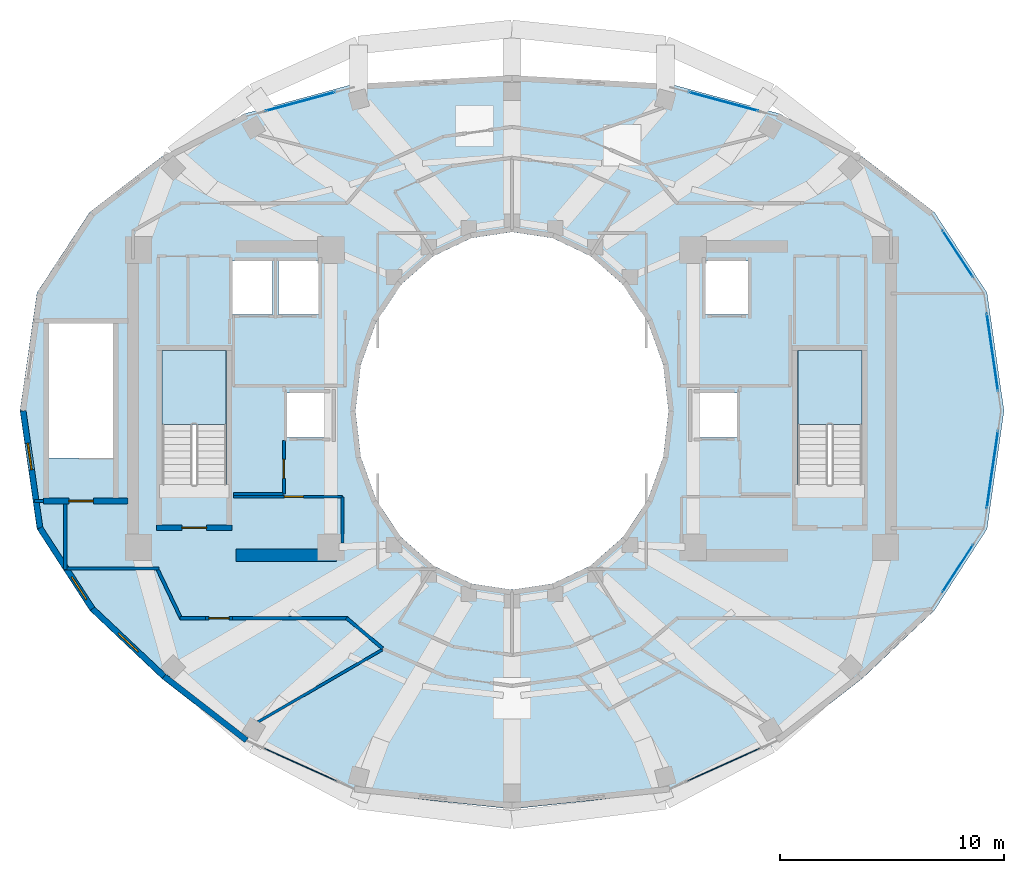
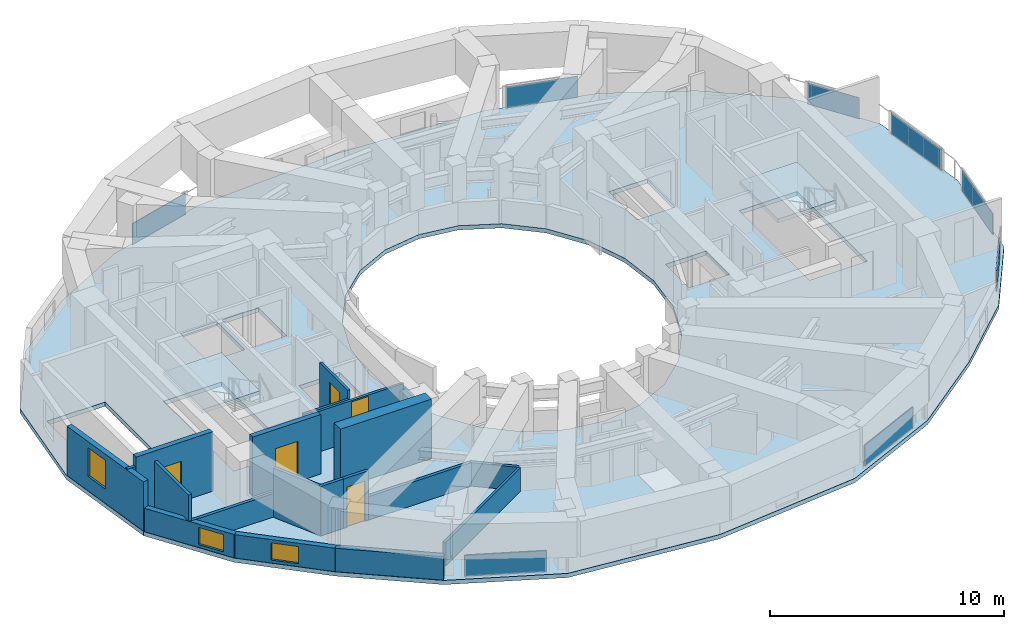
# One storey, part 13 of 20: 20 walls, 8 plates, 5 doors, 3 slabs, 3 windows, 8 openings, 10 elements without a shape of their own.
"""IFC4 building model written with IfcOpenShell, lengths in metres."""

from ifc_helpers import new_model, si_unit, direction, frame, frame_2d, origin, origin_2d, place, context, subcontext, project, spatial, polyline, rectangle, outline, extrude, material, layer, layer_set, type_object, element, fill, aggregate, save


model = new_model("IFC4")

# Units and contexts
model_context = context("Model", 3, precision=1e-05, world=origin(), true_north=direction((0.0, 1.0)))
body_context = subcontext(model_context, "Body", "Model", "MODEL_VIEW")
ifc_project = project(units=[si_unit("LENGTHUNIT", "METRE"), si_unit("AREAUNIT", "SQUARE_METRE"), si_unit("VOLUMEUNIT", "CUBIC_METRE"), si_unit("PLANEANGLEUNIT", "RADIAN"), si_unit("MASSUNIT", "GRAM", prefix="KILO")], contexts=[model_context])

# Site, building, storey
site_placement = place(None, origin())
site = spatial("IfcSite", under=ifc_project, at=site_placement, CompositionType="ELEMENT")
building_placement = place(site_placement, origin())
building = spatial("IfcBuilding", under=site, at=building_placement, Name="Solvane Sanctuary Tower", CompositionType="ELEMENT")
storey_placement = place(building_placement, frame((0.0, 0.0, 217.10009765625)))
storey = spatial("IfcBuildingStorey", under=building, at=storey_placement, Name="L66", CompositionType="ELEMENT", Elevation=217.10009765625)

# Curtain wall, plate
ifc_material_1 = material(Name="Anodised Aluminium 6063-T6", Category="aluminium")
ifc_layer_1 = layer(ifc_material_1, 0.2099609375, Name="Anodised Aluminium 6063-T6")
ifc_layer_set_1 = layer_set([ifc_layer_1], Name="Anodised Aluminium 6063-T6")
curtain_wall_type_1 = type_object("IfcCurtainWallType", Name="Curtain Wall CW-PORTAL", PredefinedType="NOTDEFINED", material=ifc_layer_set_1)
curtain_wall_1_placement = place(storey_placement, origin())
curtain_wall_1 = element("IfcCurtainWall", 1, at=curtain_wall_1_placement, inside=storey, type_object=curtain_wall_type_1, Name="L66 CW-PORTAL Facade Run 00", PredefinedType="NOTDEFINED")
ifc_material_2 = material(Name="Dark Ceramic-Fritted Low-E Glass", Category="glass")
ifc_layer_2 = layer(ifc_material_2, 0.031982421875, Name="Dark Ceramic-Fritted Low-E Glass")
ifc_layer_set_2 = layer_set([ifc_layer_2], Name="Dark Ceramic-Fritted Low-E Glass")
plate_type_1 = type_object("IfcPlateType", Name="Plate PN-FRIT-VIS", PredefinedType="CURTAIN_PANEL", material=ifc_layer_set_2)
plate_1_placement = place(storey_placement, frame((53.482421875, 25.619384765625, 0.06494140625), z_axis=(0.0, 0.0, 1.0), x_axis=(-0.142705117998, 0.989765249591, 0.0)))
plate_1 = element("IfcPlate", 2, at=plate_1_placement, type_object=plate_type_1, Name="CW-PORTAL panel 1.1", PredefinedType="CURTAIN_PANEL", context=body_context, shape_type="SweptSolid", body=[
    extrude(rectangle(XDim=3.5029296875, YDim=0.031982421875, at=origin_2d()), origin(), (0.0, 0.0, 1.0), 1.090087890625),
])
aggregate(curtain_wall_1, [plate_1])

curtain_wall_2_placement = place(storey_placement, origin())
curtain_wall_2 = element("IfcCurtainWall", 3, at=curtain_wall_2_placement, inside=storey, type_object=curtain_wall_type_1, Name="L66 CW-PORTAL Facade Run 01", PredefinedType="NOTDEFINED")
plate_2_placement = place(storey_placement, frame((51.932861328125, 30.02392578125, 0.06494140625), z_axis=(0.0, 0.0, 1.0), x_axis=(-0.548791766298, 0.83595908826, 0.0)))
plate_2 = element("IfcPlate", 4, at=plate_2_placement, type_object=plate_type_1, Name="CW-PORTAL panel 1.1", PredefinedType="CURTAIN_PANEL", context=body_context, shape_type="SweptSolid", body=[
    extrude(rectangle(XDim=2.48095703125, YDim=0.031982421875, at=origin_2d()), origin(), (0.0, 0.0, 1.0), 1.090087890625),
])
aggregate(curtain_wall_2, [plate_2])

curtain_wall_3_placement = place(storey_placement, origin())
curtain_wall_3 = element("IfcCurtainWall", 5, at=curtain_wall_3_placement, inside=storey, type_object=curtain_wall_type_1, Name="L66 CW-PORTAL Facade Run 22", PredefinedType="NOTDEFINED")
plate_3_placement = place(storey_placement, frame((51.932861328125, 15.955810546875, 0.06494140625), z_axis=(0.0, 0.0, 1.0), x_axis=(0.54447378782, 0.838777857586, 0.0)))
plate_3 = element("IfcPlate", 6, at=plate_3_placement, type_object=plate_type_1, Name="CW-PORTAL panel 1.1", PredefinedType="CURTAIN_PANEL", context=body_context, shape_type="SweptSolid", body=[
    extrude(rectangle(XDim=2.5146484375, YDim=0.031982421875, at=origin_2d()), origin(), (0.0, 0.0, 1.0), 1.090087890625),
])
aggregate(curtain_wall_3, [plate_3])

curtain_wall_4_placement = place(storey_placement, origin())
curtain_wall_4 = element("IfcCurtainWall", 7, at=curtain_wall_4_placement, inside=storey, type_object=curtain_wall_type_1, Name="L66 CW-PORTAL Facade Run 23", PredefinedType="NOTDEFINED")
plate_4_placement = place(storey_placement, frame((53.482421875, 20.380615234375, 0.06494140625), z_axis=(0.0, 0.0, 1.0), x_axis=(0.142705117998, 0.989765249591, 0.0)))
plate_4 = element("IfcPlate", 8, at=plate_4_placement, type_object=plate_type_1, Name="CW-PORTAL panel 1.1", PredefinedType="CURTAIN_PANEL", context=body_context, shape_type="SweptSolid", body=[
    extrude(rectangle(XDim=3.5029296875, YDim=0.031982421875, at=origin_2d()), origin(), (0.0, 0.0, 1.0), 1.090087890625),
])
aggregate(curtain_wall_4, [plate_4])

ifc_layer_3 = layer(ifc_material_1, 0.18994140625, Name="Anodised Aluminium 6063-T6")
ifc_layer_set_3 = layer_set([ifc_layer_3], Name="Anodised Aluminium 6063-T6")
curtain_wall_type_2 = type_object("IfcCurtainWallType", Name="Curtain Wall CW-OPER", PredefinedType="NOTDEFINED", material=ifc_layer_set_3)
curtain_wall_5_placement = place(storey_placement, origin())
curtain_wall_5 = element("IfcCurtainWall", 9, at=curtain_wall_5_placement, inside=storey, type_object=curtain_wall_type_2, Name="L66 CW-OPER Facade Run 04", PredefinedType="NOTDEFINED")
ifc_layer_4 = layer(ifc_material_2, 0.0419921875, Name="Dark Ceramic-Fritted Low-E Glass")
ifc_layer_set_4 = layer_set([ifc_layer_4], Name="Dark Ceramic-Fritted Low-E Glass")
plate_type_2 = type_object("IfcPlateType", Name="Plate PN-OPER-VENT", PredefinedType="CURTAIN_PANEL", material=ifc_layer_set_4)
plate_5_placement = place(storey_placement, frame((41.45654296875, 36.830810546875, 0.06494140625), z_axis=(0.0, 0.0, 1.0), x_axis=(-0.965212137728, 0.261468027073, 0.0)))
plate_5 = element("IfcPlate", 10, at=plate_5_placement, type_object=plate_type_2, Name="CW-OPER panel 1.1", PredefinedType="CURTAIN_PANEL", context=body_context, shape_type="SweptSolid", body=[
    extrude(rectangle(XDim=3.2109375, YDim=0.0419921875, at=origin_2d()), origin(), (0.0, 0.0, 1.0), 1.090087890625),
])
aggregate(curtain_wall_5, [plate_5])

curtain_wall_6_placement = place(storey_placement, origin())
curtain_wall_6 = element("IfcCurtainWall", 11, at=curtain_wall_6_placement, inside=storey, type_object=curtain_wall_type_2, Name="L66 CW-OPER Facade Run 07", PredefinedType="NOTDEFINED")
plate_6_placement = place(storey_placement, frame((22.54345703125, 36.830810546875, 0.06494140625), z_axis=(0.0, 0.0, 1.0), x_axis=(-0.965212137728, -0.261468027073, 0.0)))
plate_6 = element("IfcPlate", 12, at=plate_6_placement, type_object=plate_type_2, Name="CW-OPER panel 1.1", PredefinedType="CURTAIN_PANEL", context=body_context, shape_type="SweptSolid", body=[
    extrude(rectangle(XDim=3.2109375, YDim=0.0419921875, at=origin_2d()), origin(), (0.0, 0.0, 1.0), 1.090087890625),
])
aggregate(curtain_wall_6, [plate_6])

curtain_wall_7_placement = place(storey_placement, origin())
curtain_wall_7 = element("IfcCurtainWall", 13, at=curtain_wall_7_placement, inside=storey, type_object=curtain_wall_type_2, Name="L66 CW-OPER Facade Run 16", PredefinedType="NOTDEFINED")
plate_7_placement = place(storey_placement, frame((22.54345703125, 7.177734375, 0.06494140625), z_axis=(0.0, 0.0, 1.0), x_axis=(0.911422883385, -0.411470931711, 0.0)))
plate_7 = element("IfcPlate", 14, at=plate_7_placement, type_object=plate_type_2, Name="CW-OPER panel 1.1", PredefinedType="CURTAIN_PANEL", context=body_context, shape_type="SweptSolid", body=[
    extrude(rectangle(XDim=3.506103515625, YDim=0.0419921875, at=origin_2d()), origin(), (0.0, 0.0, 1.0), 1.090087890625),
])
aggregate(curtain_wall_7, [plate_7])

curtain_wall_8_placement = place(storey_placement, origin())
curtain_wall_8 = element("IfcCurtainWall", 15, at=curtain_wall_8_placement, inside=storey, type_object=curtain_wall_type_2, Name="L66 CW-OPER Facade Run 19", PredefinedType="NOTDEFINED")
plate_8_placement = place(storey_placement, frame((41.45654296875, 7.177734375, 0.06494140625), z_axis=(0.0, 0.0, 1.0), x_axis=(0.911422883385, 0.411470931711, 0.0)))
plate_8 = element("IfcPlate", 16, at=plate_8_placement, type_object=plate_type_2, Name="CW-OPER panel 1.1", PredefinedType="CURTAIN_PANEL", context=body_context, shape_type="SweptSolid", body=[
    extrude(rectangle(XDim=3.506103515625, YDim=0.0419921875, at=origin_2d()), origin(), (0.0, 0.0, 1.0), 1.090087890625),
])
aggregate(curtain_wall_8, [plate_8])

# Stair, slab
ifc_material_3 = material(Name="Concrete C45/55", Category="concrete")
stair_type = type_object("IfcStairType", Name="Stair ST-TOW", PredefinedType="HALF_TURN_STAIR", material=ifc_material_3)
stair_1_placement = place(storey_placement, origin())
stair_1 = element("IfcStair", 17, at=stair_1_placement, inside=storey, type_object=stair_type, Name="L66 Exit Stair ST-1 West Core", PredefinedType="HALF_TURN_STAIR")
ifc_layer_5 = layer(ifc_material_3, 0.199951171875, Name="Concrete C45/55")
ifc_layer_set_5 = layer_set([ifc_layer_5], Name="Concrete C45/55")
slab_type_1 = type_object("IfcSlabType", Name="Slab SL-LAND-180", PredefinedType="LANDING", material=ifc_layer_set_5)
slab_1_placement = place(storey_placement, frame((0.0, 0.0, 1.349853515625)))
slab_1 = element("IfcSlab", 18, at=slab_1_placement, type_object=slab_type_1, Name="ST-1 landing 1", PredefinedType="LANDING", context=body_context, shape_type="SweptSolid", body=[
    extrude(outline(polyline([(19.219970703125, 22.39990234375), (19.219970703125, 25.699951171875), (16.360107421875, 25.699951171875), (16.360107421875, 22.39990234375), (19.219970703125, 22.39990234375)])), origin(), (0.0, 0.0, 1.0), 0.199951171875),
])
aggregate(stair_1, [slab_1])

stair_2_placement = place(storey_placement, origin())
stair_2 = element("IfcStair", 19, at=stair_2_placement, inside=storey, type_object=stair_type, Name="L66 Exit Stair ST-2 East Core", PredefinedType="HALF_TURN_STAIR")
slab_2_placement = place(storey_placement, frame((0.0, 0.0, 1.349853515625)))
slab_2 = element("IfcSlab", 20, at=slab_2_placement, type_object=slab_type_1, Name="ST-2 landing 1", PredefinedType="LANDING", context=body_context, shape_type="SweptSolid", body=[
    extrude(outline(polyline([(47.639892578125, 22.39990234375), (47.639892578125, 25.699951171875), (44.780029296875, 25.699951171875), (44.780029296875, 22.39990234375), (47.639892578125, 22.39990234375)])), origin(), (0.0, 0.0, 1.0), 0.199951171875),
])
aggregate(stair_2, [slab_2])

# Slab
ifc_layer_6 = layer(ifc_material_3, 0.219970703125, Name="Concrete C45/55")
ifc_layer_set_6 = layer_set([ifc_layer_6], Name="Concrete C45/55")
slab_type_2 = type_object("IfcSlabType", Name="Slab SL-TOW-220", PredefinedType="FLOOR", material=ifc_layer_set_6)
slab_3_placement = place(storey_placement, frame((0.0, 0.0, -0.22021484375)))
element("IfcSlab", 21, at=slab_3_placement, inside=storey, type_object=slab_type_2, Name="L66 Primary Structural Slab", PredefinedType="FLOOR", context=body_context, shape_type="SweptSolid", body=[
    extrude(outline(polyline([(54.0, 23.0), (53.239990234375, 28.283935546875), (50.881103515625, 31.885009765625), (47.6572265625, 34.369384765625), (43.946044921875, 36.29052734375), (39.088134765625, 37.609375), (32.0, 38.0), (24.911865234375, 37.609375), (20.053955078125, 36.29052734375), (16.3427734375, 34.369384765625), (13.118896484375, 31.885009765625), (10.760009765625, 28.283935546875), (10.0, 23.0), (10.760009765625, 17.716064453125), (13.118896484375, 14.074462890625), (16.3427734375, 11.02587890625), (20.053955078125, 8.140625), (24.911865234375, 5.942626953125), (32.0, 5.199951171875), (39.088134765625, 5.942626953125), (43.946044921875, 8.140625), (47.6572265625, 11.02587890625), (50.881103515625, 14.074462890625), (53.239990234375, 17.716064453125), (54.0, 23.0)]), holes=[polyline([(38.761474609375, 20.929443359375), (38.062255859375, 19.0), (36.94970703125, 17.343017578125), (35.5, 16.07177734375), (33.811767578125, 15.272705078125), (32.0, 15.0), (30.188232421875, 15.272705078125), (28.5, 16.07177734375), (27.05029296875, 17.343017578125), (25.937744140625, 19.0), (25.238525390625, 20.929443359375), (25.0, 23.0), (25.238525390625, 25.070556640625), (25.937744140625, 27.0), (27.05029296875, 28.656982421875), (28.5, 29.92822265625), (30.188232421875, 30.727294921875), (32.0, 31.0), (33.811767578125, 30.727294921875), (35.5, 29.92822265625), (36.94970703125, 28.656982421875), (38.062255859375, 27.0), (38.761474609375, 25.070556640625), (39.0, 23.0), (38.761474609375, 20.929443359375)]), polyline([(16.360107421875, 19.699951171875), (16.360107421875, 25.699951171875), (19.219970703125, 25.699951171875), (19.219970703125, 19.699951171875), (16.360107421875, 19.699951171875)]), polyline([(44.780029296875, 19.699951171875), (44.780029296875, 25.699951171875), (47.639892578125, 25.699951171875), (47.639892578125, 19.699951171875), (44.780029296875, 19.699951171875)]), polyline([(11.300048828125, 20.89990234375), (11.300048828125, 26.89990234375), (14.159912109375, 26.89990234375), (14.159912109375, 20.89990234375), (11.300048828125, 20.89990234375)]), polyline([(21.949951171875, 23.800048828125), (23.949951171875, 23.800048828125), (23.949951171875, 21.800048828125), (21.949951171875, 21.800048828125), (21.949951171875, 23.800048828125)]), polyline([(40.050048828125, 23.800048828125), (42.050048828125, 23.800048828125), (42.050048828125, 21.800048828125), (40.050048828125, 21.800048828125), (40.050048828125, 23.800048828125)]), polyline([(19.5, 29.699951171875), (21.300048828125, 29.699951171875), (21.300048828125, 27.300048828125), (19.5, 27.300048828125), (19.5, 29.699951171875)]), polyline([(21.550048828125, 29.699951171875), (23.35009765625, 29.699951171875), (23.35009765625, 27.300048828125), (21.550048828125, 27.300048828125), (21.550048828125, 29.699951171875)]), polyline([(40.64990234375, 29.699951171875), (42.550048828125, 29.699951171875), (42.550048828125, 27.300048828125), (40.64990234375, 27.300048828125), (40.64990234375, 29.699951171875)])]), origin(), (0.0, 0.0, 1.0), 0.22021484375),
])

# Walls
ifc_material_4 = material(Name="Concrete C50/60", Category="concrete")
ifc_layer_7 = layer(ifc_material_4, 0.550048828125, Name="Concrete C50/60")
ifc_layer_set_7 = layer_set([ifc_layer_7], Name="Concrete C50/60")
wall_type_1 = type_object("IfcWallType", Name="Wall W-CORE-550", PredefinedType="SHEAR", material=ifc_layer_set_7)
wall_1_placement = place(storey_placement, frame((19.64990234375, 16.550048828125, 0.0), z_axis=(0.0, 0.0, 1.0), x_axis=(1.0, 0.0, 0.0)))
element("IfcWall", 22, at=wall_1_placement, inside=storey, type_object=wall_type_1, Name="L66 Core Shear Wall WC-S", PredefinedType="SHEAR", context=body_context, shape_type="SweptSolid", body=[
    extrude(rectangle(XDim=4.5, YDim=0.550048828125, at=frame_2d((2.25, 0.0))), origin(), (0.0, 0.0, 1.0), 3.099853515625),
])
ifc_material_5 = material(Name="Acoustic Gypsum Partition Board")
ifc_layer_8 = layer(ifc_material_5, 0.14990234375, Name="Acoustic Gypsum Partition Board")
ifc_layer_set_8 = layer_set([ifc_layer_8], Name="Acoustic Gypsum Partition Board")
wall_type_2 = type_object("IfcWallType", Name="Wall W-CORR-150", PredefinedType="PARTITIONING", material=ifc_layer_set_8)
wall_2_placement = place(storey_placement, frame((10.639892578125, 18.969970703125, 0.0), z_axis=(0.0, 0.0, 1.0), x_axis=(1.0, 0.0, 0.0)))
element("IfcWall", 23, at=wall_2_placement, inside=storey, type_object=wall_type_2, Name="L66 SW Corner Closer 1", PredefinedType="PARTITIONING", context=body_context, shape_type="SweptSolid", body=[
    extrude(rectangle(XDim=0.400146484375, YDim=0.14990234375, at=frame_2d((0.2001953125, 0.0))), origin(), (0.0, 0.0, 1.0), 2.574951171875),
])
wall_3_placement = place(storey_placement, frame((12.02001953125, 15.909912109375, 0.0), z_axis=(0.0, 0.0, 1.0), x_axis=(0.0, 1.0, 0.0)))
element("IfcWall", 24, at=wall_3_placement, inside=storey, type_object=wall_type_2, Name="L66 SW Corner Closer 2", PredefinedType="PARTITIONING", context=body_context, shape_type="SweptSolid", body=[
    extrude(rectangle(XDim=2.93017578125, YDim=0.14990234375, at=frame_2d((1.465087890625, 0.0))), origin(), (0.0, 0.0, 1.0), 2.574951171875),
])
wall_4_placement = place(storey_placement, frame((11.97998046875, 15.949951171875, 0.0), z_axis=(0.0, 0.0, 1.0), x_axis=(1.0, 0.0, 0.0)))
element("IfcWall", 25, at=wall_4_placement, inside=storey, type_object=wall_type_2, Name="L66 SW Corner Closer 3", PredefinedType="PARTITIONING", context=body_context, shape_type="SweptSolid", body=[
    extrude(rectangle(XDim=4.239990234375, YDim=0.14990234375, at=frame_2d((2.1201171875, 0.0))), origin(), (0.0, 0.0, 1.0), 1.219970703125),
])
wall_5_placement = place(storey_placement, frame((26.208984375, 12.385009765625, 0.0), z_axis=(0.0, 0.0, 1.0), x_axis=(-0.765677451641, 0.643224719711, 0.0)))
element("IfcWall", 26, at=wall_5_placement, inside=storey, type_object=wall_type_2, Name="L66 SW Corner Throat Wall", PredefinedType="PARTITIONING", context=body_context, shape_type="SweptSolid", body=[
    extrude(rectangle(XDim=2.10546875, YDim=0.14990234375, at=frame_2d((1.052734375, 0.0))), origin(), (0.0, 0.0, 1.0), 1.219970703125),
])
wall_6_placement = place(storey_placement, frame((17.14990234375, 13.719970703125, 0.0), z_axis=(0.0, 0.0, 1.0), x_axis=(1.0, 0.0, 0.0)))
element("IfcWall", 27, at=wall_6_placement, inside=storey, type_object=wall_type_2, Name="L66 SW Corner Corridor Wall", PredefinedType="PARTITIONING", context=body_context, shape_type="SweptSolid", body=[
    extrude(rectangle(XDim=1.14013671875, YDim=0.14990234375, at=frame_2d((0.570068359375, 0.0))), origin(), (0.0, 0.0, 1.0), 2.574951171875),
])

# Wall, opening, door
wall_7_placement = place(storey_placement, frame((18.2900390625, 13.719970703125, 0.0), z_axis=(0.0, 0.0, 1.0), x_axis=(1.0, 0.0, 0.0)))
wall_7 = element("IfcWall", 28, at=wall_7_placement, inside=storey, type_object=wall_type_2, Name="L66 SW Corner Corridor Wall", PredefinedType="PARTITIONING", context=body_context, shape_type="SweptSolid", body=[
    extrude(rectangle(XDim=1.219970703125, YDim=0.14990234375, at=frame_2d((0.60986328125, 0.0))), origin(), (0.0, 0.0, 1.0), 2.574951171875),
])
opening_1_placement = place(wall_7_placement, frame((0.159912109375, 0.0, 0.0)))
opening_1 = element("IfcOpeningElement", 29, at=opening_1_placement, cuts=wall_7, Name="Opening D-L66-21", PredefinedType="OPENING", context=body_context, shape_type="SweptSolid", body=[
    extrude(rectangle(XDim=0.89990234375, YDim=2.10009765625, at=frame_2d((0.449951171875, 1.050048828125))), frame((0.0, 0.0849609375, 0.0), z_axis=(0.0, -1.0, 0.0), x_axis=(1.0, 0.0, 0.0)), (0.0, 0.0, 1.0), 0.169921875),
])
ifc_material_6 = material(Name="Engineered Tropical Hardwood", Category="wood")
door_type_1 = type_object("IfcDoorType", Name="Door D-WET-900", OperationType="NOTDEFINED", PredefinedType="DOOR", material=ifc_material_6)
door_1_placement = place(opening_1_placement, origin())
door_1 = element("IfcDoor", 30, at=door_1_placement, inside=storey, type_object=door_type_1, Name="L66 SW Corner Salon Door", OperationType="SINGLE_SWING_LEFT", OverallHeight=2.10009765625, OverallWidth=0.89990234375, PredefinedType="DOOR", context=body_context, shape_type="SweptSolid", body=[
    extrude(rectangle(XDim=0.89990234375, YDim=2.10009765625, at=frame_2d((0.449951171875, 1.050048828125))), frame((0.0, 0.02490234375, 0.0), z_axis=(0.0, -1.0, 0.0), x_axis=(1.0, 0.0, 0.0)), (0.0, 0.0, 1.0), 0.050048828125),
])
fill(opening_1, door_1)

# Walls
wall_8_placement = place(storey_placement, frame((19.510009765625, 13.719970703125, 0.0), z_axis=(0.0, 0.0, 1.0), x_axis=(1.0, 0.0, 0.0)))
element("IfcWall", 31, at=wall_8_placement, inside=storey, type_object=wall_type_2, Name="L66 SW Corner Corridor Wall", PredefinedType="PARTITIONING", context=body_context, shape_type="SweptSolid", body=[
    extrude(rectangle(XDim=5.159912109375, YDim=0.14990234375, at=frame_2d((2.580078125, 0.0))), origin(), (0.0, 0.0, 1.0), 1.219970703125),
])
wall_9_placement = place(storey_placement, frame((17.2216796875, 13.6748046875, 0.0), z_axis=(0.0, 0.0, 1.0), x_axis=(-0.431973389813, 0.901886351207, 0.0)))
element("IfcWall", 32, at=wall_9_placement, inside=storey, type_object=wall_type_2, Name="L66 SW Corner Wing Wall", PredefinedType="PARTITIONING", context=body_context, shape_type="SweptSolid", body=[
    extrude(rectangle(XDim=2.45166015625, YDim=0.14990234375, at=frame_2d((1.225830078125, 0.0))), origin(), (0.0, 0.0, 1.0), 2.574951171875),
])

# Wall, opening, window
ifc_material_7 = material(Name="Precast concrete C40/50", Category="concrete")
ifc_layer_9 = layer(ifc_material_7, 0.260009765625, Name="Precast concrete C40/50")
ifc_layer_set_9 = layer_set([ifc_layer_9], Name="Precast concrete C40/50")
wall_type_3 = type_object("IfcWallType", Name="Wall W-EXT-250", PredefinedType="STANDARD", material=ifc_layer_set_9)
wall_10_placement = place(storey_placement, frame((10.139892578125, 23.0, 0.0), z_axis=(0.0, 0.0, 1.0), x_axis=(0.142712754019, -0.989764148593, 0.0)))
wall_10 = element("IfcWall", 33, at=wall_10_placement, inside=storey, type_object=wall_type_3, Name="L66 Ceramic-Printed Facade Wall 12", PredefinedType="STANDARD", context=body_context, shape_type="SweptSolid", body=[
    extrude(rectangle(XDim=5.29296875, YDim=0.260009765625, at=frame_2d((2.646484375, 0.0))), origin(), (0.0, 0.0, 1.0), 2.56982421875),
])
opening_2_placement = place(wall_10_placement, frame((1.4580078125, 0.0, 0.75)))
opening_2 = element("IfcOpeningElement", 34, at=opening_2_placement, cuts=wall_10, Name="Opening WN-OPER-1200", PredefinedType="OPENING", context=body_context, shape_type="SweptSolid", body=[
    extrude(rectangle(XDim=1.199951171875, YDim=1.5, at=frame_2d((0.60009765625, 0.75))), frame((0.0, 0.139892578125, 0.0), z_axis=(0.0, -1.0, 0.0), x_axis=(1.0, 0.0, 0.0)), (0.0, 0.0, 1.0), 0.280029296875),
])
window_type = type_object("IfcWindowType", Name="Window WN-OPER-1200", PartitioningType="SINGLE_PANEL", PredefinedType="WINDOW", material=ifc_material_2)
window_1_placement = place(opening_2_placement, origin())
window_1 = element("IfcWindow", 35, at=window_1_placement, inside=storey, type_object=window_type, Name="L66 Operable Facade Window 12", OverallHeight=1.5, OverallWidth=1.199951171875, PartitioningType="SINGLE_PANEL", PredefinedType="WINDOW", context=body_context, shape_type="SweptSolid", body=[
    extrude(rectangle(XDim=1.199951171875, YDim=1.5, at=frame_2d((0.60009765625, 0.75))), frame((0.0, 0.030029296875, 0.0), z_axis=(0.0, -1.0, 0.0), x_axis=(1.0, 0.0, 0.0)), (0.0, 0.0, 1.0), 0.06005859375),
])
fill(opening_2, window_1)

wall_11_placement = place(storey_placement, frame((10.895263671875, 17.76123046875, 0.0), z_axis=(0.0, 0.0, 1.0), x_axis=(0.544475908819, -0.838776480784, 0.0)))
wall_11 = element("IfcWall", 36, at=wall_11_placement, inside=storey, type_object=wall_type_3, Name="L66 Ceramic-Printed Facade Wall 13", PredefinedType="STANDARD", context=body_context, shape_type="SweptSolid", body=[
    extrude(rectangle(XDim=4.3046875, YDim=0.260009765625, at=frame_2d((2.15234375, 0.0))), origin(), (0.0, 0.0, 1.0), 1.219970703125),
])
opening_3_placement = place(wall_11_placement, frame((2.60693359375, 0.0, 0.14990234375)))
opening_3 = element("IfcOpeningElement", 37, at=opening_3_placement, cuts=wall_11, Name="Opening WN-OPER-1200", PredefinedType="OPENING", context=body_context, shape_type="SweptSolid", body=[
    extrude(rectangle(XDim=1.199951171875, YDim=0.89990234375, at=frame_2d((0.60009765625, 0.449951171875))), frame((0.0, 0.139892578125, 0.0), z_axis=(0.0, -1.0, 0.0), x_axis=(1.0, 0.0, 0.0)), (0.0, 0.0, 1.0), 0.280029296875),
])
window_2_placement = place(opening_3_placement, origin())
window_2 = element("IfcWindow", 38, at=window_2_placement, inside=storey, type_object=window_type, Name="L66 Operable Facade Window 13", OverallHeight=0.89990234375, OverallWidth=1.199951171875, PartitioningType="SINGLE_PANEL", PredefinedType="WINDOW", context=body_context, shape_type="SweptSolid", body=[
    extrude(rectangle(XDim=1.199951171875, YDim=0.89990234375, at=frame_2d((0.60009765625, 0.449951171875))), frame((0.0, 0.030029296875, 0.0), z_axis=(0.0, -1.0, 0.0), x_axis=(1.0, 0.0, 0.0)), (0.0, 0.0, 1.0), 0.06005859375),
])
fill(opening_3, window_2)

wall_12_placement = place(storey_placement, frame((13.239013671875, 14.150634765625, 0.0), z_axis=(0.0, 0.0, 1.0), x_axis=(0.72731899451, -0.686299555752, 0.0)))
wall_12 = element("IfcWall", 39, at=wall_12_placement, inside=storey, type_object=wall_type_3, Name="L66 Ceramic-Printed Facade Wall 14", PredefinedType="STANDARD", context=body_context, shape_type="SweptSolid", body=[
    extrude(rectangle(XDim=4.404296875, YDim=0.260009765625, at=frame_2d((2.2021484375, 0.0))), origin(), (0.0, 0.0, 1.0), 1.219970703125),
])
opening_4_placement = place(wall_12_placement, frame((1.60205078125, 0.0, 0.14990234375)))
opening_4 = element("IfcOpeningElement", 40, at=opening_4_placement, cuts=wall_12, Name="Opening WN-OPER-1200", PredefinedType="OPENING", context=body_context, shape_type="SweptSolid", body=[
    extrude(rectangle(XDim=1.199951171875, YDim=0.89990234375, at=frame_2d((0.60009765625, 0.449951171875))), frame((0.0, 0.139892578125, 0.0), z_axis=(0.0, -1.0, 0.0), x_axis=(1.0, 0.0, 0.0)), (0.0, 0.0, 1.0), 0.280029296875),
])
window_3_placement = place(opening_4_placement, origin())
window_3 = element("IfcWindow", 41, at=window_3_placement, inside=storey, type_object=window_type, Name="L66 Operable Facade Window 14", OverallHeight=0.89990234375, OverallWidth=1.199951171875, PartitioningType="SINGLE_PANEL", PredefinedType="WINDOW", context=body_context, shape_type="SweptSolid", body=[
    extrude(rectangle(XDim=1.199951171875, YDim=0.89990234375, at=frame_2d((0.60009765625, 0.449951171875))), frame((0.0, 0.030029296875, 0.0), z_axis=(0.0, -1.0, 0.0), x_axis=(1.0, 0.0, 0.0)), (0.0, 0.0, 1.0), 0.06005859375),
])
fill(opening_4, window_3)

# Wall
wall_13_placement = place(storey_placement, frame((16.4423828125, 11.1279296875, 0.0), z_axis=(0.0, 0.0, 1.0), x_axis=(0.790126214723, -0.612944177563, 0.0)))
element("IfcWall", 42, at=wall_13_placement, inside=storey, type_object=wall_type_3, Name="L66 Ceramic-Printed Facade Wall 15", PredefinedType="STANDARD", context=body_context, shape_type="SweptSolid", body=[
    extrude(rectangle(XDim=4.6669921875, YDim=0.260009765625, at=frame_2d((2.33349609375, 0.0))), origin(), (0.0, 0.0, 1.0), 1.219970703125),
])

# Wall, opening, door
ifc_layer_10 = layer(ifc_material_5, 0.125, Name="Acoustic Gypsum Partition Board")
ifc_layer_set_10 = layer_set([ifc_layer_10], Name="Acoustic Gypsum Partition Board")
wall_type_4 = type_object("IfcWallType", Name="Wall W-PART-125", PredefinedType="PARTITIONING", material=ifc_layer_set_10)
wall_14_placement = place(storey_placement, frame((19.550048828125, 19.159912109375, 0.0), z_axis=(0.0, 0.0, 1.0), x_axis=(1.0, 0.0, 0.0)))
wall_14 = element("IfcWall", 43, at=wall_14_placement, inside=storey, type_object=wall_type_4, Name="L66 Reclaimed Room Partition PLW", PredefinedType="PARTITIONING", context=body_context, shape_type="SweptSolid", body=[
    extrude(rectangle(XDim=4.869873046875, YDim=0.125, at=frame_2d((2.43505859375, 0.0))), origin(), (0.0, 0.0, 1.0), 2.119873046875),
])
opening_5_placement = place(wall_14_placement, frame((2.271728515625, 0.0, 0.0)))
opening_5 = element("IfcOpeningElement", 44, at=opening_5_placement, cuts=wall_14, Name="Opening D-L66-06", PredefinedType="OPENING", context=body_context, shape_type="SweptSolid", body=[
    extrude(rectangle(XDim=0.85009765625, YDim=2.050048828125, at=frame_2d((0.425048828125, 1.02490234375))), frame((0.0, 0.072509765625, 0.0), z_axis=(0.0, -1.0, 0.0), x_axis=(1.0, 0.0, 0.0)), (0.0, 0.0, 1.0), 0.14501953125),
])
ifc_material_8 = material(Name="Architectural Stainless Steel 316", Category="steel")
door_type_2 = type_object("IfcDoorType", Name="Door D-RISER", OperationType="NOTDEFINED", PredefinedType="DOOR", material=ifc_material_8)
door_2_placement = place(opening_5_placement, origin())
door_2 = element("IfcDoor", 45, at=door_2_placement, inside=storey, type_object=door_type_2, Name="L66 Reclaimed Room Door PLW-1", OperationType="SINGLE_SWING_RIGHT", OverallHeight=2.050048828125, OverallWidth=0.85009765625, PredefinedType="DOOR", context=body_context, shape_type="SweptSolid", body=[
    extrude(rectangle(XDim=0.85009765625, YDim=2.050048828125, at=frame_2d((0.425048828125, 1.02490234375))), frame((0.0, 0.02490234375, 0.0), z_axis=(0.0, -1.0, 0.0), x_axis=(1.0, 0.0, 0.0)), (0.0, 0.0, 1.0), 0.050048828125),
])
fill(opening_5, door_2)

# Wall
wall_15_placement = place(storey_placement, frame((24.419921875, 17.10009765625, 0.0), z_axis=(0.0, 0.0, 1.0), x_axis=(0.0, 1.0, 0.0)))
element("IfcWall", 46, at=wall_15_placement, inside=storey, type_object=wall_type_4, Name="L66 Reclaimed Room Closer Wall PLW-1", PredefinedType="PARTITIONING", context=body_context, shape_type="SweptSolid", body=[
    extrude(rectangle(XDim=2.039794921875, YDim=0.125, at=frame_2d((1.02001953125, 0.0))), origin(), (0.0, 0.0, 1.0), 1.951904296875),
])

# Wall, opening, door
wall_16_placement = place(storey_placement, frame((21.800048828125, 19.280029296875, 0.0), z_axis=(0.0, 0.0, 1.0), x_axis=(0.0, 1.0, 0.0)))
wall_16 = element("IfcWall", 47, at=wall_16_placement, inside=storey, type_object=wall_type_4, Name="L66 Reclaimed Room Partition PMW", PredefinedType="PARTITIONING", context=body_context, shape_type="SweptSolid", body=[
    extrude(rectangle(XDim=2.39990234375, YDim=0.125, at=frame_2d((1.199951171875, 0.0))), origin(), (0.0, 0.0, 1.0), 2.574951171875),
])
opening_6_placement = place(wall_16_placement, frame((0.699951171875, 0.0, 0.0)))
opening_6 = element("IfcOpeningElement", 48, at=opening_6_placement, cuts=wall_16, Name="Opening D-L66-08", PredefinedType="OPENING", context=body_context, shape_type="SweptSolid", body=[
    extrude(rectangle(XDim=0.85009765625, YDim=2.050048828125, at=frame_2d((0.425048828125, 1.02490234375))), frame((0.0, 0.072509765625, 0.0), z_axis=(0.0, -1.0, 0.0), x_axis=(1.0, 0.0, 0.0)), (0.0, 0.0, 1.0), 0.14501953125),
])
door_3_placement = place(opening_6_placement, origin())
door_3 = element("IfcDoor", 49, at=door_3_placement, inside=storey, type_object=door_type_2, Name="L66 Reclaimed Room Door PMW-1", OperationType="SINGLE_SWING_RIGHT", OverallHeight=2.050048828125, OverallWidth=0.85009765625, PredefinedType="DOOR", context=body_context, shape_type="SweptSolid", body=[
    extrude(rectangle(XDim=0.85009765625, YDim=2.050048828125, at=frame_2d((0.425048828125, 1.02490234375))), frame((0.0, 0.02490234375, 0.0), z_axis=(0.0, -1.0, 0.0), x_axis=(1.0, 0.0, 0.0)), (0.0, 0.0, 1.0), 0.050048828125),
])
fill(opening_6, door_3)

# Walls
wall_17_placement = place(storey_placement, frame((19.550048828125, 19.280029296875, 0.0), z_axis=(0.0, 0.0, 1.0), x_axis=(1.0, 0.0, 0.0)))
element("IfcWall", 50, at=wall_17_placement, inside=storey, type_object=wall_type_4, Name="L66 Reclaimed Room Closer Wall PMW-1", PredefinedType="PARTITIONING", context=body_context, shape_type="SweptSolid", body=[
    extrude(rectangle(XDim=2.2099609375, YDim=0.125, at=frame_2d((1.10498046875, 0.0))), origin(), (0.0, 0.0, 1.0), 2.119873046875),
])
wall_18_placement = place(storey_placement, frame((26.203369140625, 12.322021484375, 0.0), z_axis=(0.0, 0.0, 1.0), x_axis=(-0.864712462127, -0.502267217567, 0.0)))
element("IfcWall", 51, at=wall_18_placement, inside=storey, type_object=wall_type_4, Name="L66 Radial Compartment Wall 240", PredefinedType="PARTITIONING", context=body_context, shape_type="SweptSolid", body=[
    extrude(rectangle(XDim=6.439453125, YDim=0.125, at=frame_2d((3.2197265625, 0.0))), origin(), (0.0, 0.0, 1.0), 1.219970703125),
])

# Wall, opening, door
ifc_layer_11 = layer(ifc_material_4, 0.25, Name="Concrete C50/60")
ifc_layer_set_11 = layer_set([ifc_layer_11], Name="Concrete C50/60")
wall_type_5 = type_object("IfcWallType", Name="Wall W-SHAFT-250", PredefinedType="SOLIDWALL", material=ifc_layer_set_11)
wall_19_placement = place(storey_placement, frame((16.10498046875, 17.77001953125, 0.0), z_axis=(0.0, 0.0, 1.0), x_axis=(1.0, 0.0, 0.0)))
wall_19 = element("IfcWall", 52, at=wall_19_placement, inside=storey, type_object=wall_type_5, Name="L66 ST-1 Load-Bearing Shaft Wall S", PredefinedType="SOLIDWALL", context=body_context, shape_type="SweptSolid", body=[
    extrude(rectangle(XDim=3.3701171875, YDim=0.25, at=frame_2d((1.68505859375, 0.0))), origin(), (0.0, 0.0, 1.0), 3.099853515625),
])
opening_7_placement = place(wall_19_placement, frame((1.135009765625, 0.0, 0.0)))
opening_7 = element("IfcOpeningElement", 53, at=opening_7_placement, cuts=wall_19, Name="Opening D-L66-01", PredefinedType="OPENING", context=body_context, shape_type="SweptSolid", body=[
    extrude(rectangle(XDim=1.10009765625, YDim=2.10009765625, at=frame_2d((0.550048828125, 1.050048828125))), frame((0.0, 0.135009765625, 0.0), z_axis=(0.0, -1.0, 0.0), x_axis=(1.0, 0.0, 0.0)), (0.0, 0.0, 1.0), 0.27001953125),
])
door_type_3 = type_object("IfcDoorType", Name="Door D-STAIR", OperationType="NOTDEFINED", PredefinedType="DOOR", material=ifc_material_8)
door_4_placement = place(opening_7_placement, origin())
door_4 = element("IfcDoor", 54, at=door_4_placement, inside=storey, type_object=door_type_3, Name="L66 ST-1 Exit Stair Fire Door", OperationType="SINGLE_SWING_RIGHT", OverallHeight=2.10009765625, OverallWidth=1.10009765625, PredefinedType="DOOR", context=body_context, shape_type="SweptSolid", body=[
    extrude(rectangle(XDim=1.10009765625, YDim=2.10009765625, at=frame_2d((0.550048828125, 1.050048828125))), frame((0.0, 0.02490234375, 0.0), z_axis=(0.0, -1.0, 0.0), x_axis=(1.0, 0.0, 0.0)), (0.0, 0.0, 1.0), 0.050048828125),
])
fill(opening_7, door_4)

wall_20_placement = place(storey_placement, frame((11.044921875, 18.969970703125, 0.0), z_axis=(0.0, 0.0, 1.0), x_axis=(1.0, 0.0, 0.0)))
wall_20 = element("IfcWall", 55, at=wall_20_placement, inside=storey, type_object=wall_type_5, Name="L66 ST-3 Load-Bearing Shaft Wall S", PredefinedType="SOLIDWALL", context=body_context, shape_type="SweptSolid", body=[
    extrude(rectangle(XDim=3.781982421875, YDim=0.25, at=frame_2d((1.89111328125, 0.0))), origin(), (0.0, 0.0, 1.0), 3.099853515625),
])
opening_8_placement = place(wall_20_placement, frame((1.135009765625, 0.0, 0.0)))
opening_8 = element("IfcOpeningElement", 56, at=opening_8_placement, cuts=wall_20, Name="Opening D-L66-03", PredefinedType="OPENING", context=body_context, shape_type="SweptSolid", body=[
    extrude(rectangle(XDim=1.10009765625, YDim=2.10009765625, at=frame_2d((0.550048828125, 1.050048828125))), frame((0.0, 0.135009765625, 0.0), z_axis=(0.0, -1.0, 0.0), x_axis=(1.0, 0.0, 0.0)), (0.0, 0.0, 1.0), 0.27001953125),
])
door_5_placement = place(opening_8_placement, origin())
door_5 = element("IfcDoor", 57, at=door_5_placement, inside=storey, type_object=door_type_3, Name="L66 ST-3 Exit Stair Fire Door", OperationType="SINGLE_SWING_RIGHT", OverallHeight=2.10009765625, OverallWidth=1.10009765625, PredefinedType="DOOR", context=body_context, shape_type="SweptSolid", body=[
    extrude(rectangle(XDim=1.10009765625, YDim=2.10009765625, at=frame_2d((0.550048828125, 1.050048828125))), frame((0.0, 0.02490234375, 0.0), z_axis=(0.0, -1.0, 0.0), x_axis=(1.0, 0.0, 0.0)), (0.0, 0.0, 1.0), 0.050048828125),
])
fill(opening_8, door_5)

save(model, "model.ifc")
